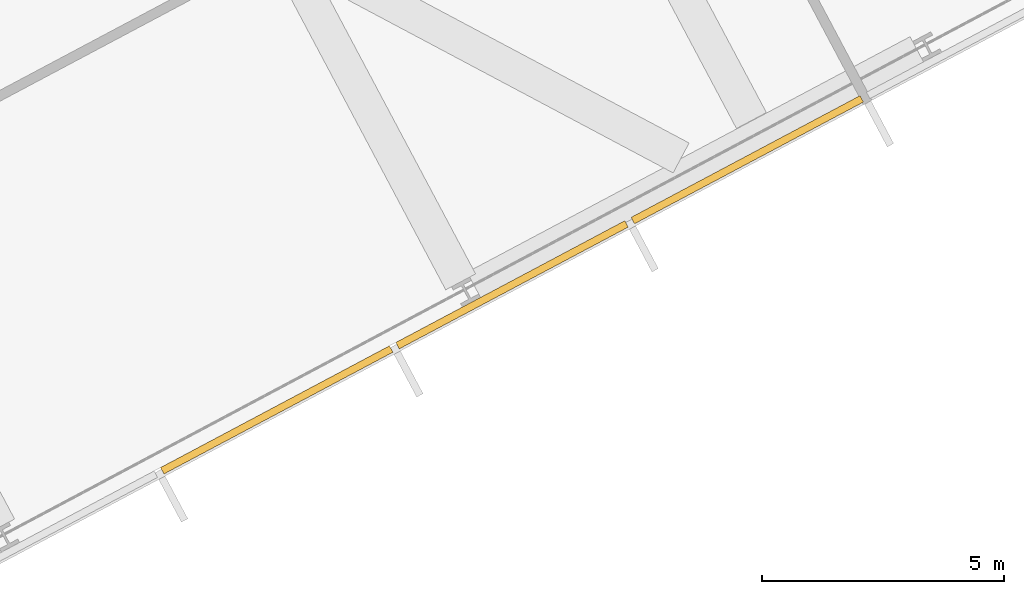
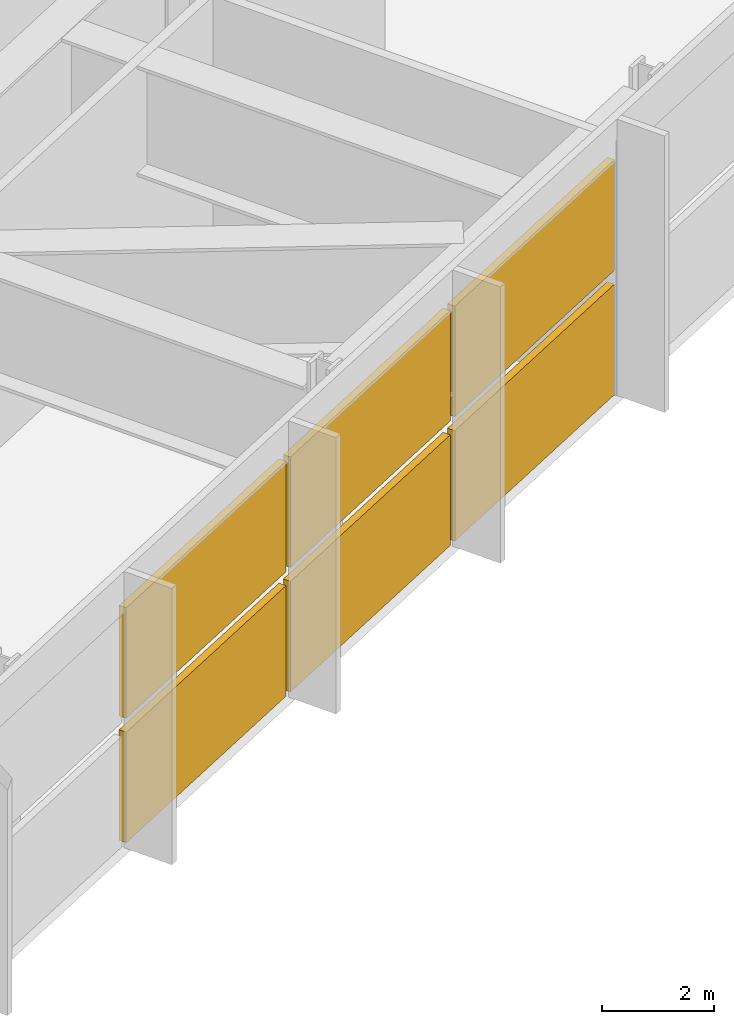
# One storey, part 29 of 33: 6 shading devices, 1 element without a shape of its own.
"""IFC4 building model written with IfcOpenShell, lengths in metres."""

import ifcopenshell
import ifcopenshell.guid

model = None  # the IFC model being written
_history = None  # IfcOwnerHistory: only IFC2X3 demands one
_inside = {}  # id of a spatial element -> (the spatial element, [elements in it])
_under = {}  # id of a project, library or spatial element -> (it, [spatial elements below it])
_declared = {}  # id of a project -> (the project, [libraries it declares])
_typed = {}  # id of a type object -> (the type object, [elements of that type])
_made_of = {}  # id of a material, layer set ... -> (it, [elements and type objects made of it])


def new_model(schema):
    """Start an empty IFC model of exactly this schema.

    Asked for "IFC4X3", IfcOpenShell would pick the latest addendum, in which some entities
    have other attributes; the version numbers below select the first issue.
    IFC2X3 requires an IfcOwnerHistory on every rooted entity: one is made here for all.
    """
    global model, _history
    if schema == "IFC4X3":
        model = ifcopenshell.file(schema_version=(4, 3, 0, 0))
    else:
        model = ifcopenshell.file(schema=schema)
    _inside.clear()
    _under.clear()
    _declared.clear()
    _typed.clear()
    _made_of.clear()
    _history = None
    if model.schema == "IFC2X3":
        org = make("IfcOrganization", Name="unknown")
        user = make(
            "IfcPersonAndOrganization",
            ThePerson=make("IfcPerson", FamilyName="unknown"),
            TheOrganization=org,
        )
        app = make(
            "IfcApplication",
            ApplicationDeveloper=org,
            Version="unknown",
            ApplicationFullName="unknown",
            ApplicationIdentifier="unknown",
        )
        _history = make(
            "IfcOwnerHistory",
            OwningUser=user,
            OwningApplication=app,
            ChangeAction="ADDED",
            CreationDate=0,
        )
    return model


def make(cls, **values):
    """One entity of the class cls with the attributes given. An attribute that is None is left unset."""
    return model.create_entity(
        cls, **{name: value for name, value in values.items() if value is not None}
    )


def rooted(cls, **values):
    """An entity with a GlobalId (a new one), such as an element, a storey or a relation."""
    return make(cls, GlobalId=ifcopenshell.guid.new(), OwnerHistory=_history, **values)


def si_unit(unit_type, name, prefix=None):
    """IfcSIUnit, for example si_unit("LENGTHUNIT", "METRE", prefix="MILLI")."""
    return make("IfcSIUnit", UnitType=unit_type, Prefix=prefix, Name=name)


def assignment(units):
    """IfcUnitAssignment: the units of a project."""
    return None if units is None else make("IfcUnitAssignment", Units=units)


def point(xyz):
    """IfcCartesianPoint."""
    return None if xyz is None else make("IfcCartesianPoint", Coordinates=xyz)


def direction(xyz):
    """IfcDirection."""
    return None if xyz is None else make("IfcDirection", DirectionRatios=xyz)


def frame(location, z_axis=None, x_axis=None):
    """IfcAxis2Placement3D, a coordinate frame: its origin and axes. An axis left out is left unset."""
    return make(
        "IfcAxis2Placement3D",
        Location=point(location),
        Axis=direction(z_axis),
        RefDirection=direction(x_axis),
    )


def frame_2d(location, x_axis=None):
    """IfcAxis2Placement2D, a coordinate frame in the plane: its origin and x axis."""
    return make(
        "IfcAxis2Placement2D", Location=point(location), RefDirection=direction(x_axis)
    )


def origin():
    """The frame at (0, 0, 0) with its axes left unset."""
    return frame((0.0, 0.0, 0.0))


def origin_2d():
    """The frame at (0, 0) in the plane with its x axis left unset."""
    return frame_2d((0.0, 0.0))


def place(relative_to, where):
    """IfcLocalPlacement: puts the frame where relative to a parent placement (None: the world)."""
    return make(
        "IfcLocalPlacement", PlacementRelTo=relative_to, RelativePlacement=where
    )


def context(
    kind, dimensions, precision=None, world=None, true_north=None, identifier=None
):
    """IfcGeometricRepresentationContext, for example the 3D "Model" context."""
    return make(
        "IfcGeometricRepresentationContext",
        ContextIdentifier=identifier,
        ContextType=kind,
        CoordinateSpaceDimension=dimensions,
        Precision=precision,
        WorldCoordinateSystem=world,
        TrueNorth=true_north,
    )


def subcontext(parent, identifier, kind, view, scale=None):
    """IfcGeometricRepresentationSubContext, for example "Body" below "Model"."""
    return make(
        "IfcGeometricRepresentationSubContext",
        ContextIdentifier=identifier,
        ContextType=kind,
        ParentContext=parent,
        TargetScale=scale,
        TargetView=view,
    )


def project(units=None, contexts=None):
    """IfcProject with its units and contexts."""
    return rooted(
        "IfcProject",
        Name="project",
        RepresentationContexts=contexts,
        UnitsInContext=assignment(units),
    )


def spatial(cls, under=None, at=None, **own):
    """A site, building, storey or space (cls), placed at a placement, below another one or the project."""
    s = rooted(cls, ObjectPlacement=at, **own)
    if under is not None:
        _under.setdefault(under.id(), (under, []))[1].append(s)
    return s


def profile(cls, at=None, kind="AREA", **sizes):
    """A parametric profile (cls). Its sizes go by their IFC names, for example OverallWidth=200.0."""
    return make(cls, ProfileType=kind, Position=at, **sizes)


def rectangle(**sizes):
    """IfcRectangleProfileDef."""
    return profile("IfcRectangleProfileDef", **sizes)


def extrude(swept, where, along, depth):
    """IfcExtrudedAreaSolid: the profile swept, set in the frame where, extruded along a direction by depth."""
    return make(
        "IfcExtrudedAreaSolid",
        SweptArea=swept,
        Position=where,
        ExtrudedDirection=direction(along),
        Depth=depth,
    )


def shape(context_of_items, identifier, shape_type, items):
    """IfcShapeRepresentation: the items that make up one representation, for example the "Body"."""
    return make(
        "IfcShapeRepresentation",
        ContextOfItems=context_of_items,
        RepresentationIdentifier=identifier,
        RepresentationType=shape_type,
        Items=items,
    )


def material(Name=None, Category=None):
    """IfcMaterial."""
    return make("IfcMaterial", Name=Name, Category=Category)


def layer(
    of_material, thickness, ventilated=None, Name=None, Category=None, Priority=None
):
    """IfcMaterialLayer: one layer of a wall or slab, of a material (None: an air gap)."""
    return make(
        "IfcMaterialLayer",
        Material=of_material,
        LayerThickness=thickness,
        IsVentilated=ventilated,
        Name=Name,
        Category=Category,
        Priority=Priority,
    )


def layer_set(layers, Name=None):
    """IfcMaterialLayerSet."""
    return make("IfcMaterialLayerSet", MaterialLayers=layers, LayerSetName=Name)


def made_of(thing, what):
    """Note that an element or type object is made of a material, layer set ...; save() writes the relation."""
    if what is not None:
        _made_of.setdefault(what.id(), (what, []))[1].append(thing)
    return thing


def type_object(cls, material=None, **own):
    """A type object (cls), such as IfcWallType, which elements share."""
    return made_of(rooted(cls, **own), material)


def element(
    cls,
    number,
    at=None,
    inside=None,
    cuts=None,
    type_object=None,
    material=None,
    context=None,
    identifier="Body",
    shape_type=None,
    held_by="IfcProductDefinitionShape",
    body=None,
    shapes=None,
    **own,
):
    """One element of the class cls, such as IfcWall. Its Tag is "e" and its number.

    at: its placement. inside: the storey or other place that contains it. cuts: it is an
    opening in that element (IfcRelVoidsElement). A single representation is given by context,
    identifier, shape_type and body (its items); several are given by shapes. held_by: the class
    of the entity that holds the representations. save() writes the other relations.
    """
    e = rooted(cls, Tag="e%d" % number, ObjectPlacement=at, **own)
    if body is not None:
        shapes = [shape(context, identifier, shape_type, body)]
    if shapes is not None:
        e.Representation = make(held_by, Representations=shapes)
    if inside is not None:
        _inside.setdefault(inside.id(), (inside, []))[1].append(e)
    if cuts is not None:
        rooted(
            "IfcRelVoidsElement", RelatingBuildingElement=cuts, RelatedOpeningElement=e
        )
    if type_object is not None:
        _typed.setdefault(type_object.id(), (type_object, []))[1].append(e)
    return made_of(e, material)


def aggregate(whole, parts):
    """IfcRelAggregates: a whole, such as a stair, and the parts it consists of."""
    return rooted("IfcRelAggregates", RelatingObject=whole, RelatedObjects=parts)


def save(model, path):
    """Write the relations noted so far, then the file.

    IfcRelAggregates (storeys below a building ...), IfcRelContainedInSpatialStructure (elements
    in a storey), IfcRelDefinesByType, IfcRelAssociatesMaterial and IfcRelDeclares: one each for
    every whole, place, type object, material and project.
    """
    for whole, parts in _under.values():
        aggregate(whole, parts)
    for where, things in _inside.values():
        rooted(
            "IfcRelContainedInSpatialStructure",
            RelatedElements=things,
            RelatingStructure=where,
        )
    for kind, things in _typed.values():
        rooted("IfcRelDefinesByType", RelatedObjects=things, RelatingType=kind)
    for what, things in _made_of.values():
        rooted("IfcRelAssociatesMaterial", RelatedObjects=things, RelatingMaterial=what)
    for by, libraries in _declared.values():
        rooted("IfcRelDeclares", RelatingContext=by, RelatedDefinitions=libraries)
    model.write(path)


model = new_model("IFC4")

# Units and contexts
model_context = context("Model", 3, precision=1e-05, world=origin(), true_north=direction((0.0, 1.0)))
body_context = subcontext(model_context, "Body", "Model", "MODEL_VIEW")
ifc_project = project(units=[si_unit("LENGTHUNIT", "METRE"), si_unit("AREAUNIT", "SQUARE_METRE"), si_unit("VOLUMEUNIT", "CUBIC_METRE"), si_unit("PLANEANGLEUNIT", "RADIAN"), si_unit("MASSUNIT", "GRAM", prefix="KILO")], contexts=[model_context])

# Site, building, storey
site_placement = place(None, origin())
site = spatial("IfcSite", under=ifc_project, at=site_placement, CompositionType="ELEMENT")
building_placement = place(site_placement, origin())
building = spatial("IfcBuilding", under=site, at=building_placement, Name="Cormorant Relay Tower", CompositionType="ELEMENT")
storey_placement = place(building_placement, frame((0.0, 0.0, 112.199951171875)))
storey = spatial("IfcBuildingStorey", under=building, at=storey_placement, Name="L22", CompositionType="ELEMENT", Elevation=112.199951171875)

# Curtain wall, shading devices
ifc_material_1 = material(Name="Aluminium 6063-T6 anodised bronze", Category="aluminium")
ifc_layer = layer(ifc_material_1, 0.199951171875)
ifc_layer_set = layer_set([ifc_layer], Name="CW4 band louvre wall")
curtain_wall_type = type_object("IfcCurtainWallType", Name="CW4 band louvre wall", PredefinedType="NOTDEFINED", material=ifc_layer_set)
curtain_wall_placement = place(storey_placement, origin())
curtain_wall = element("IfcCurtainWall", 1, at=curtain_wall_placement, inside=storey, type_object=curtain_wall_type, Name="CW4 curtain wall 2", PredefinedType="NOTDEFINED")
ifc_material_2 = material(Name="Aluminium 6063-T6 anodised bronze louvre", Category="aluminium")
shading_device_type = type_object("IfcShadingDeviceType", Name="CW4 bronze louvre bank 150 x 2400", PredefinedType="USERDEFINED", material=ifc_material_2)
shading_device_1_placement = place(storey_placement, frame((48.91748046875, 2.14111328125, 2.7001953125), z_axis=(0.0, 0.0, 1.0), x_axis=(0.882947592859, 0.469471562786, 0.0)))
shading_device_1 = element("IfcShadingDevice", 2, at=shading_device_1_placement, type_object=shading_device_type, Name="CW4 louvre bank U2.10", ObjectType="LOUVRE", PredefinedType="USERDEFINED", context=body_context, shape_type="SweptSolid", body=[
    extrude(rectangle(XDim=5.36181640625, YDim=0.14990234375, at=origin_2d()), origin(), (0.0, 0.0, 1.0), 2.39990234375),
])
shading_device_2_placement = place(storey_placement, frame((48.91748046875, 2.14111328125, 0.0), z_axis=(0.0, 0.0, 1.0), x_axis=(0.882947592859, 0.469471562786, 0.0)))
shading_device_2 = element("IfcShadingDevice", 3, at=shading_device_2_placement, type_object=shading_device_type, Name="CW4 louvre bank D2.10", ObjectType="LOUVRE", PredefinedType="USERDEFINED", context=body_context, shape_type="SweptSolid", body=[
    extrude(rectangle(XDim=5.36181640625, YDim=0.14990234375, at=origin_2d()), origin(), (0.0, 0.0, 1.0), 2.39990234375),
])
shading_device_3_placement = place(storey_placement, frame((53.7841796875, 4.728515625, 2.7001953125), z_axis=(0.0, 0.0, 1.0), x_axis=(0.882947592859, 0.469471562786, 0.0)))
shading_device_3 = element("IfcShadingDevice", 4, at=shading_device_3_placement, type_object=shading_device_type, Name="CW4 louvre bank U2.11", ObjectType="LOUVRE", PredefinedType="USERDEFINED", context=body_context, shape_type="SweptSolid", body=[
    extrude(rectangle(XDim=5.36181640625, YDim=0.14990234375, at=origin_2d()), origin(), (0.0, 0.0, 1.0), 2.39990234375),
])
shading_device_4_placement = place(storey_placement, frame((53.7841796875, 4.728515625, 0.0), z_axis=(0.0, 0.0, 1.0), x_axis=(0.882947592859, 0.469471562786, 0.0)))
shading_device_4 = element("IfcShadingDevice", 5, at=shading_device_4_placement, type_object=shading_device_type, Name="CW4 louvre bank D2.11", ObjectType="LOUVRE", PredefinedType="USERDEFINED", context=body_context, shape_type="SweptSolid", body=[
    extrude(rectangle(XDim=5.36181640625, YDim=0.14990234375, at=origin_2d()), origin(), (0.0, 0.0, 1.0), 2.39990234375),
])
shading_device_5_placement = place(storey_placement, frame((58.65087890625, 7.31640625, 2.7001953125), z_axis=(0.0, 0.0, 1.0), x_axis=(0.882947592859, 0.469471562786, 0.0)))
shading_device_5 = element("IfcShadingDevice", 6, at=shading_device_5_placement, type_object=shading_device_type, Name="CW4 louvre bank U2.12", ObjectType="LOUVRE", PredefinedType="USERDEFINED", context=body_context, shape_type="SweptSolid", body=[
    extrude(rectangle(XDim=5.36181640625, YDim=0.14990234375, at=origin_2d()), origin(), (0.0, 0.0, 1.0), 2.39990234375),
])
shading_device_6_placement = place(storey_placement, frame((58.65087890625, 7.31640625, 0.0), z_axis=(0.0, 0.0, 1.0), x_axis=(0.882947592859, 0.469471562786, 0.0)))
shading_device_6 = element("IfcShadingDevice", 7, at=shading_device_6_placement, type_object=shading_device_type, Name="CW4 louvre bank D2.12", ObjectType="LOUVRE", PredefinedType="USERDEFINED", context=body_context, shape_type="SweptSolid", body=[
    extrude(rectangle(XDim=5.36181640625, YDim=0.14990234375, at=origin_2d()), origin(), (0.0, 0.0, 1.0), 2.39990234375),
])
aggregate(curtain_wall, [shading_device_1, shading_device_2, shading_device_3, shading_device_4, shading_device_5, shading_device_6])

save(model, "model.ifc")
